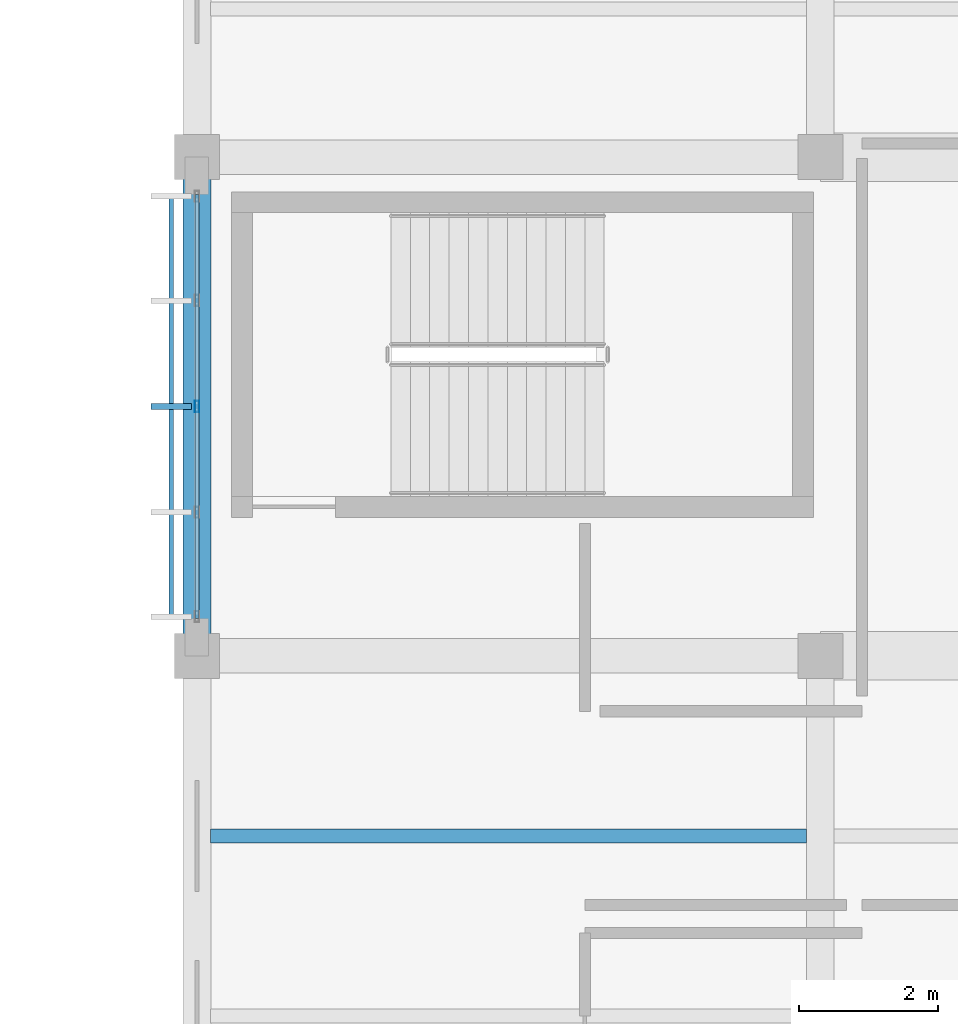
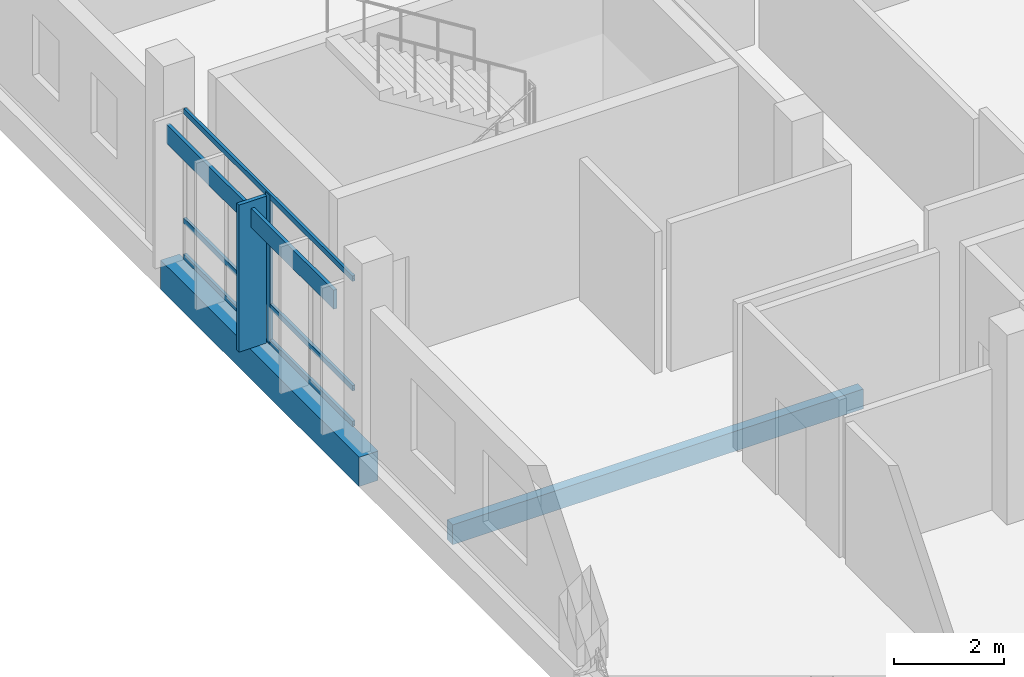
# One storey, part 96 of 182: 6 members, 2 beams, 1 element without a shape of its own.
"""IFC4 building model written with IfcOpenShell, lengths in metres."""

from ifc_helpers import new_model, si_unit, direction, frame, origin, origin_2d, place, context, subcontext, project, spatial, rectangle, hollow_rectangle, extrude, material, material_profile, profile_set, type_object, element, aggregate, save


model = new_model("IFC4")

# Units and contexts
model_context = context("Model", 3, precision=1e-05, world=origin(), true_north=direction((0.0, 1.0)))
body_context = subcontext(model_context, "Body", "Model", "MODEL_VIEW")
ifc_project = project(units=[si_unit("LENGTHUNIT", "METRE"), si_unit("AREAUNIT", "SQUARE_METRE"), si_unit("VOLUMEUNIT", "CUBIC_METRE"), si_unit("PLANEANGLEUNIT", "RADIAN"), si_unit("MASSUNIT", "GRAM", prefix="KILO")], contexts=[model_context])

# Site, building, storey
site_placement = place(None, origin())
site = spatial("IfcSite", under=ifc_project, at=site_placement, CompositionType="ELEMENT")
building_placement = place(site_placement, origin())
building = spatial("IfcBuilding", under=site, at=building_placement, Name="Chiffa Square Polytechnic", CompositionType="ELEMENT")
storey_placement = place(building_placement, frame((0.0, 0.0, 9.60009765625)))
storey = spatial("IfcBuildingStorey", under=building, at=storey_placement, Name="L02", CompositionType="ELEMENT", Elevation=9.60009765625)

# Beam
ifc_material_1 = material(Name="Concrete C35/45", Category="concrete")
ifc_material_profile_1 = material_profile(ifc_material_1, rectangle(XDim=0.39990234375, YDim=0.64990234375, at=origin_2d()), Name="RC 400x650")
ifc_profile_set_1 = profile_set([ifc_material_profile_1], Name="Concrete C35/45")
beam_type_1 = type_object("IfcBeamType", Name="BM-RC-400X650", PredefinedType="BEAM", material=ifc_profile_set_1)
beam_1_placement = place(storey_placement, frame((148.199951171875, 43.800048828125, -0.64501953125), z_axis=(0.0, 1.0, 0.0), x_axis=(-1.0, 0.0, 0.0)))
element("IfcBeam", 1, at=beam_1_placement, inside=storey, type_object=beam_type_1, Name="Primary floor girder BM-V1-L02-Y-1482-0438", PredefinedType="BEAM", context=body_context, shape_type="SweptSolid", body=[
    extrude(rectangle(XDim=0.39990234375, YDim=0.64990234375, at=origin_2d()), origin(), (0.0, 0.0, 1.0), 7.199951171875),
])

# Curtain wall, members
ifc_material_2 = material(Name="Aluminium EN AW-6060 T66 and glulam shading", Category="wood")
curtain_wall_type = type_object("IfcCurtainWallType", Name="CW-VERT-450X380", PredefinedType="USERDEFINED", material=ifc_material_2)
curtain_wall_placement = place(storey_placement, origin())
curtain_wall = element("IfcCurtainWall", 2, at=curtain_wall_placement, inside=storey, type_object=curtain_wall_type, Name="Curtain wall CW-V1-L02-130", ObjectType="CURTAIN WALL", PredefinedType="USERDEFINED")
ifc_material_3 = material(Name="Aluminium EN AW-6060 T66", Category="aluminium")
ifc_material_profile_2 = material_profile(ifc_material_3, hollow_rectangle(XDim=0.06005859375, YDim=0.159912109375, WallThickness=0.00390625, at=origin_2d()), Name="ALU 60x160x4")
ifc_profile_set_2 = profile_set([ifc_material_profile_2], Name="Aluminium EN AW-6060 T66")
member_type_1 = type_object("IfcMemberType", Name="CWM-ALU-65X150", PredefinedType="MULLION", material=ifc_profile_set_2)
member_1_placement = place(storey_placement, frame((148.199951171875, 47.39990234375, 0.0), z_axis=(0.0, 0.0, 1.0), x_axis=(1.0, 0.0, 0.0)))
member_1 = element("IfcMember", 3, at=member_1_placement, type_object=member_type_1, Name="Curtain wall mullion CW-V1-L02-130-M02", PredefinedType="MULLION", context=body_context, shape_type="SweptSolid", body=[
    extrude(hollow_rectangle(XDim=0.06005859375, YDim=0.159912109375, WallThickness=0.00390625, at=origin_2d()), origin(), (0.0, 0.0, 1.0), 3.27490234375),
])
ifc_material_4 = material(Name="Glulam GL28h", Category="wood")
ifc_material_profile_3 = material_profile(ifc_material_4, rectangle(XDim=0.080078125, YDim=0.580078125, at=origin_2d()), Name="GL28h 80x580")
ifc_profile_set_3 = profile_set([ifc_material_profile_3], Name="Glulam GL28h")
member_type_2 = type_object("IfcMemberType", Name="CWM-GL-80X580", PredefinedType="MULLION", material=ifc_profile_set_3)
member_2_placement = place(storey_placement, frame((147.827880859375, 47.39990234375, 0.010009765625), z_axis=(0.0, 0.0, 1.0), x_axis=(0.0, -1.0, 0.0)))
member_2 = element("IfcMember", 4, at=member_2_placement, type_object=member_type_2, Name="Exterior glulam solar fin CW-V1-L02-130-FN02", PredefinedType="MULLION", context=body_context, shape_type="SweptSolid", body=[
    extrude(rectangle(XDim=0.080078125, YDim=0.580078125, at=origin_2d()), origin(), (0.0, 0.0, 1.0), 3.2548828125),
])
ifc_material_profile_4 = material_profile(ifc_material_3, hollow_rectangle(XDim=0.06005859375, YDim=0.1201171875, WallThickness=0.00390625, at=origin_2d()), Name="ALU 60x120x4")
ifc_profile_set_4 = profile_set([ifc_material_profile_4], Name="Aluminium EN AW-6060 T66")
member_type_3 = type_object("IfcMemberType", Name="CWT-ALU-65X120", PredefinedType="USERDEFINED", material=ifc_profile_set_4)
member_3_placement = place(storey_placement, frame((148.199951171875, 50.4619140625, 0.02978515625), z_axis=(0.0, -1.0, 0.0), x_axis=(1.0, 0.0, 0.0)))
member_3 = element("IfcMember", 5, at=member_3_placement, type_object=member_type_3, Name="Curtain wall transom CW-V1-L02-130-T01", ObjectType="TRANSOM", PredefinedType="USERDEFINED", context=body_context, shape_type="SweptSolid", body=[
    extrude(hollow_rectangle(XDim=0.06005859375, YDim=0.1201171875, WallThickness=0.00390625, at=origin_2d()), origin(), (0.0, 0.0, 1.0), 6.1240234375),
])
member_4_placement = place(storey_placement, frame((148.199951171875, 50.4619140625, 0.81982421875), z_axis=(0.0, -1.0, 0.0), x_axis=(1.0, 0.0, 0.0)))
member_4 = element("IfcMember", 6, at=member_4_placement, type_object=member_type_3, Name="Curtain wall transom CW-V1-L02-130-T02", ObjectType="TRANSOM", PredefinedType="USERDEFINED", context=body_context, shape_type="SweptSolid", body=[
    extrude(hollow_rectangle(XDim=0.06005859375, YDim=0.1201171875, WallThickness=0.00390625, at=origin_2d()), origin(), (0.0, 0.0, 1.0), 6.1240234375),
])
member_5_placement = place(storey_placement, frame((148.199951171875, 50.4619140625, 3.244873046875), z_axis=(0.0, -1.0, 0.0), x_axis=(1.0, 0.0, 0.0)))
member_5 = element("IfcMember", 7, at=member_5_placement, type_object=member_type_3, Name="Curtain wall transom CW-V1-L02-130-T03", ObjectType="TRANSOM", PredefinedType="USERDEFINED", context=body_context, shape_type="SweptSolid", body=[
    extrude(hollow_rectangle(XDim=0.06005859375, YDim=0.1201171875, WallThickness=0.00390625, at=origin_2d()), origin(), (0.0, 0.0, 1.0), 6.1240234375),
])
ifc_material_profile_5 = material_profile(ifc_material_4, rectangle(XDim=0.070068359375, YDim=0.419921875, at=origin_2d()), Name="GL28h 70x420")
ifc_profile_set_5 = profile_set([ifc_material_profile_5], Name="Glulam GL28h")
member_type_4 = type_object("IfcMemberType", Name="CWT-GL-70X420", PredefinedType="USERDEFINED", material=ifc_profile_set_5)
member_6_placement = place(storey_placement, frame((147.827880859375, 50.43505859375, 2.89501953125), z_axis=(0.0, -1.0, 0.0), x_axis=(1.0, 0.0, 0.0)))
member_6 = element("IfcMember", 8, at=member_6_placement, type_object=member_type_4, Name="Exterior glulam brise-soleil CW-V1-L02-130-BS01", ObjectType="TRANSOM", PredefinedType="USERDEFINED", context=body_context, shape_type="SweptSolid", body=[
    extrude(rectangle(XDim=0.070068359375, YDim=0.419921875, at=origin_2d()), origin(), (0.0, 0.0, 1.0), 6.070068359375),
])
aggregate(curtain_wall, [member_1, member_2, member_3, member_4, member_5, member_6])

# Beam
ifc_material_profile_6 = material_profile(ifc_material_4, rectangle(XDim=0.199951171875, YDim=0.43994140625, at=origin_2d()), Name="GL28h 200x440")
ifc_profile_set_6 = profile_set([ifc_material_profile_6], Name="Glulam GL28h")
beam_type_2 = type_object("IfcBeamType", Name="JST-GL-200X440", PredefinedType="JOIST", material=ifc_profile_set_6)
beam_2_placement = place(storey_placement, frame((148.39794921875, 41.199951171875, -0.5400390625), z_axis=(1.0, 0.0, 0.0), x_axis=(0.0, 1.0, 0.0)))
element("IfcBeam", 9, at=beam_2_placement, inside=storey, type_object=beam_type_2, Name="Secondary floor joist JST-V1-L02-1482-0412", PredefinedType="JOIST", context=body_context, shape_type="SweptSolid", body=[
    extrude(rectangle(XDim=0.199951171875, YDim=0.43994140625, at=origin_2d()), origin(), (0.0, 0.0, 1.0), 8.60400390625),
])

save(model, "model.ifc")
